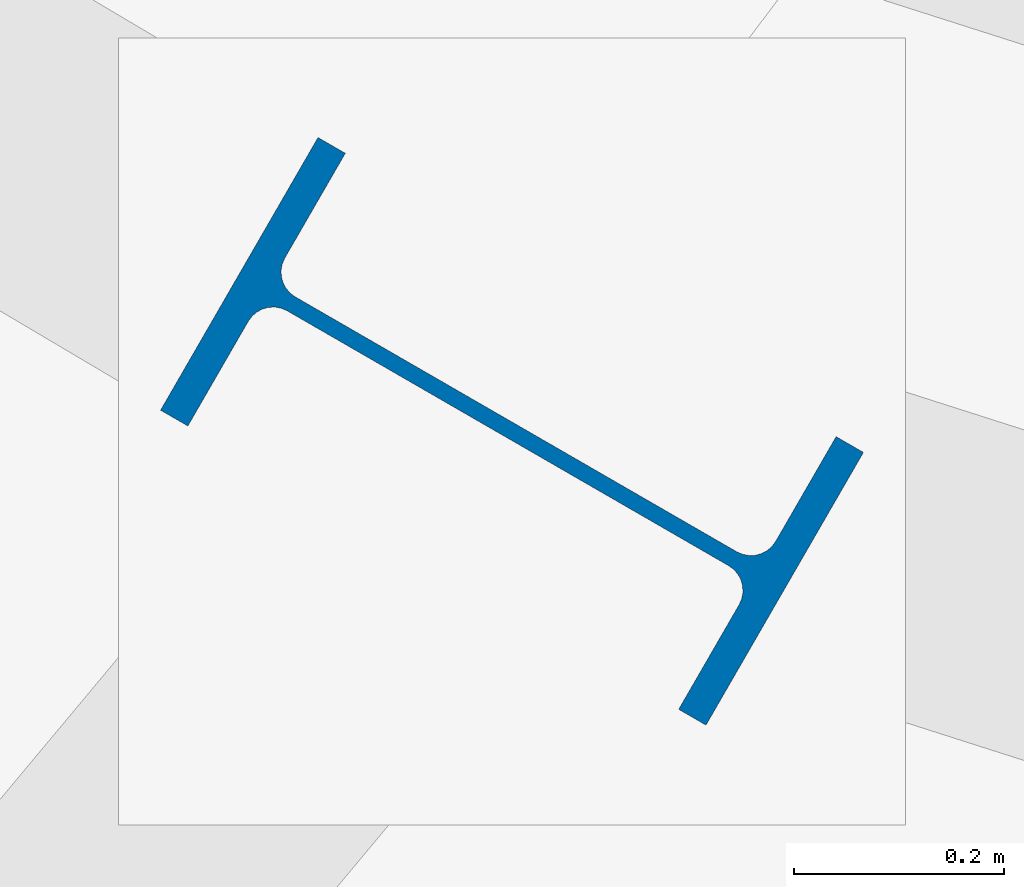
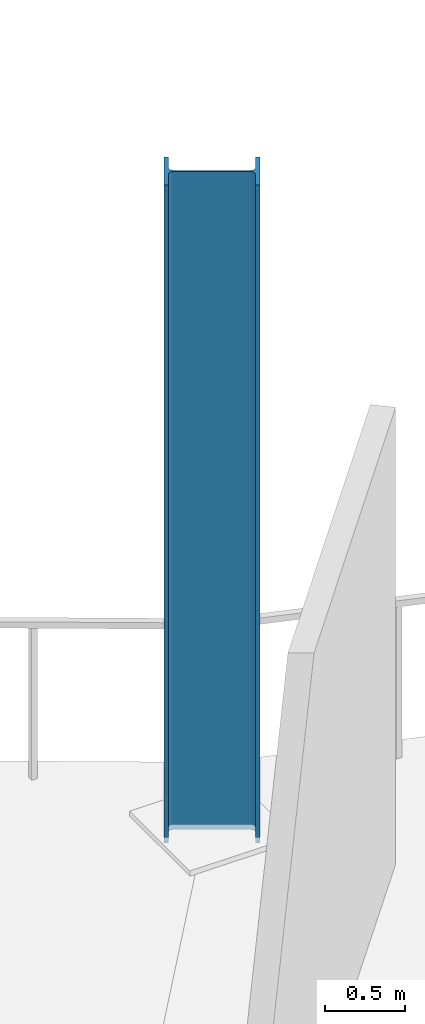
# One storey, part 6 of 179: 1 column.
"""IFC4 building model written with IfcOpenShell, lengths in metres."""

from ifc_helpers import new_model, si_unit, direction, frame, origin, origin_2d, place, context, subcontext, project, spatial, i_section, extrude, material, material_profile, profile_set, type_object, element, save


model = new_model("IFC4")

# Units and contexts
model_context = context("Model", 3, precision=1e-05, world=origin(), true_north=direction((0.0, 1.0)))
body_context = subcontext(model_context, "Body", "Model", "MODEL_VIEW")
ifc_project = project(units=[si_unit("LENGTHUNIT", "METRE"), si_unit("AREAUNIT", "SQUARE_METRE"), si_unit("VOLUMEUNIT", "CUBIC_METRE"), si_unit("PLANEANGLEUNIT", "RADIAN"), si_unit("MASSUNIT", "GRAM", prefix="KILO")], contexts=[model_context])

# Site, building, storey
site_placement = place(None, origin())
site = spatial("IfcSite", under=ifc_project, at=site_placement, CompositionType="ELEMENT")
building_placement = place(site_placement, origin())
building = spatial("IfcBuilding", under=site, at=building_placement, Name="Zlatoyarsky Gate Stadium", CompositionType="ELEMENT")
storey_placement = place(building_placement, frame((0.0, 0.0, 10.60009765625)))
storey = spatial("IfcBuildingStorey", under=building, at=storey_placement, Name="L02", CompositionType="ELEMENT", Elevation=10.60009765625)

# Column
ifc_material = material(Name="Steel S355", Category="steel")
ifc_material_profile = material_profile(ifc_material, i_section(OverallWidth=0.300048828125, OverallDepth=0.60009765625, WebThickness=0.015380859375, FlangeThickness=0.030029296875, FilletRadius=0.027099609375, at=origin_2d()), Name="HEB 600")
ifc_profile_set = profile_set([ifc_material_profile], Name="Steel S355")
column_type = type_object("IfcColumnType", Name="STEEL COLUMN HEB 600", PredefinedType="COLUMN", material=ifc_profile_set)
column_placement = place(storey_placement, frame((77.0, 34.53369140625, 0.0), z_axis=(0.0, 0.0, 1.0), x_axis=(-0.5, -0.866025403784, 0.0)))
element("IfcColumn", 1, at=column_placement, inside=storey, type_object=column_type, Name="Column ST-C600 RA-16 on L02", PredefinedType="COLUMN", context=body_context, shape_type="SweptSolid", body=[
    extrude(i_section(OverallWidth=0.300048828125, OverallDepth=0.60009765625, WebThickness=0.015380859375, FlangeThickness=0.030029296875, FilletRadius=0.027099609375, at=origin_2d()), origin(), (0.0, 0.0, 1.0), 5.0),
])

save(model, "model.ifc")
